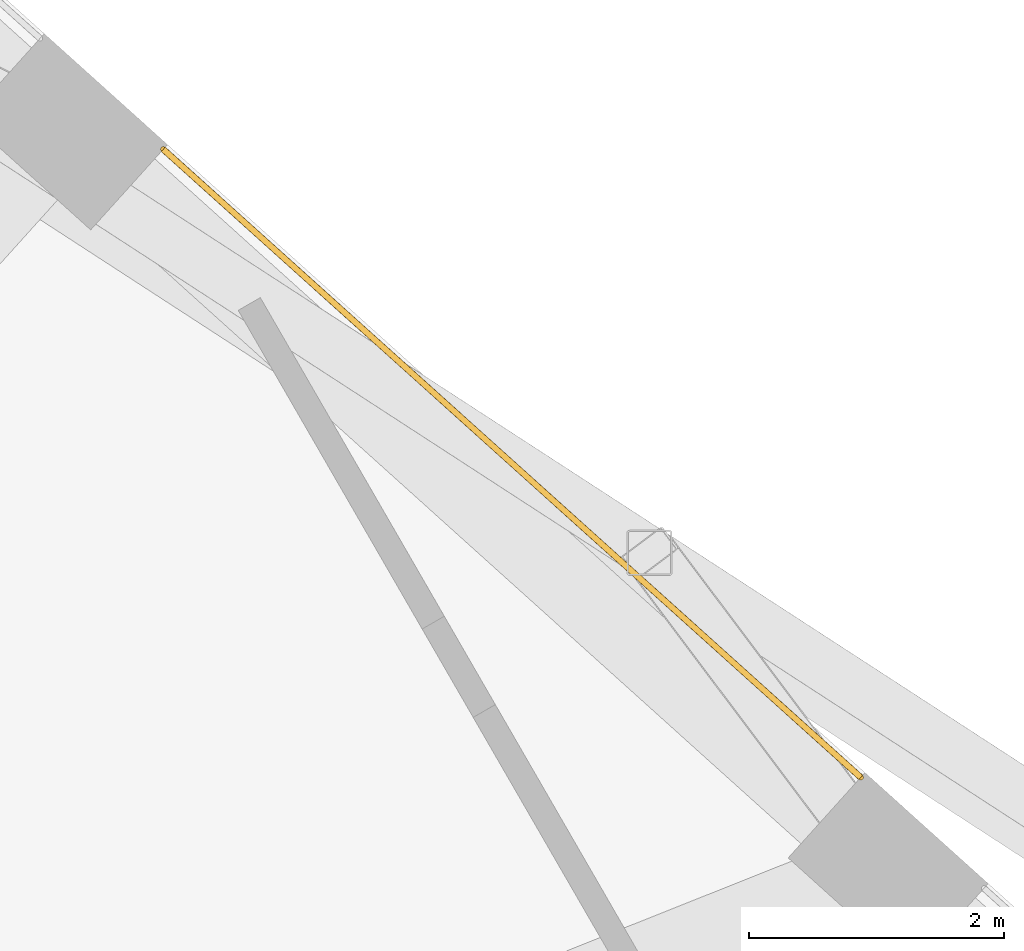
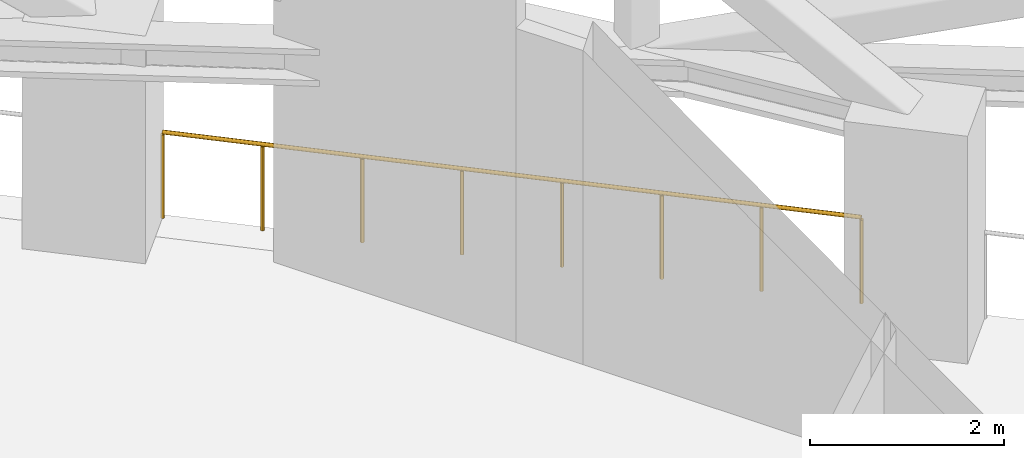
# One storey, part 24 of 24: 1 railing.
"""IFC4 building model written with IfcOpenShell, lengths in metres."""

from ifc_helpers import new_model, si_unit, direction, frame, origin, origin_2d, place, context, subcontext, project, spatial, circle, extrude, material, type_object, element, save


model = new_model("IFC4")

# Units and contexts
model_context = context("Model", 3, precision=1e-05, world=origin(), true_north=direction((0.0, 1.0)))
body_context = subcontext(model_context, "Body", "Model", "MODEL_VIEW")
ifc_project = project(units=[si_unit("LENGTHUNIT", "METRE"), si_unit("AREAUNIT", "SQUARE_METRE"), si_unit("VOLUMEUNIT", "CUBIC_METRE"), si_unit("PLANEANGLEUNIT", "RADIAN"), si_unit("MASSUNIT", "GRAM", prefix="KILO")], contexts=[model_context])

# Site, building, storey
site_placement = place(None, origin())
site = spatial("IfcSite", under=ifc_project, at=site_placement, CompositionType="ELEMENT")
building_placement = place(site_placement, origin())
building = spatial("IfcBuilding", under=site, at=building_placement, Name="Tramontana Tower", CompositionType="ELEMENT")
storey_placement = place(building_placement, frame((0.0, 0.0, 120.39990234375)))
storey = spatial("IfcBuildingStorey", under=building, at=storey_placement, Name="L27", CompositionType="ELEMENT", Elevation=120.39990234375)

# Railing
ifc_material = material(Name="Stainless steel rail and posts", Category="steel")
railing_type = type_object("IfcRailingType", Name="GD2 Terrace guard 1100", PredefinedType="GUARDRAIL", material=ifc_material)
railing_placement = place(storey_placement, frame((17.963623046875, 7.9794921875, 0.0)))
element("IfcRailing", 1, at=railing_placement, inside=storey, type_object=railing_type, Name="Edge guard L27 16", PredefinedType="GUARDRAIL", context=body_context, shape_type="SweptSolid", body=[
    extrude(circle(Radius=0.02392578125, at=origin_2d()), frame((0.0, 0.0, 1.076171875), z_axis=(-0.743139088938, 0.669136977377, 0.0), x_axis=(-0.669136977377, -0.743139088938, 0.0)), (0.0, 0.0, 1.0), 7.3603515625),
    extrude(circle(Radius=0.02099609375, at=origin_2d()), origin(), (0.0, 0.0, 1.0), 1.052001953125),
    extrude(circle(Radius=0.02099609375, at=origin_2d()), frame((-0.781494140625, 0.70361328125, 0.0)), (0.0, 0.0, 1.0), 1.052001953125),
    extrude(circle(Radius=0.02099609375, at=origin_2d()), frame((-1.562744140625, 1.4072265625, 0.0)), (0.0, 0.0, 1.0), 1.052001953125),
    extrude(circle(Radius=0.02099609375, at=origin_2d()), frame((-2.34423828125, 2.11083984375, 0.0)), (0.0, 0.0, 1.0), 1.052001953125),
    extrude(circle(Radius=0.02099609375, at=origin_2d()), frame((-3.12548828125, 2.814208984375, 0.0)), (0.0, 0.0, 1.0), 1.052001953125),
    extrude(circle(Radius=0.02099609375, at=origin_2d()), frame((-3.906982421875, 3.517822265625, 0.0)), (0.0, 0.0, 1.0), 1.052001953125),
    extrude(circle(Radius=0.02099609375, at=origin_2d()), frame((-4.688232421875, 4.221435546875, 0.0)), (0.0, 0.0, 1.0), 1.052001953125),
    extrude(circle(Radius=0.02099609375, at=origin_2d()), frame((-5.4697265625, 4.925048828125, 0.0)), (0.0, 0.0, 1.0), 1.052001953125),
])

save(model, "model.ifc")
